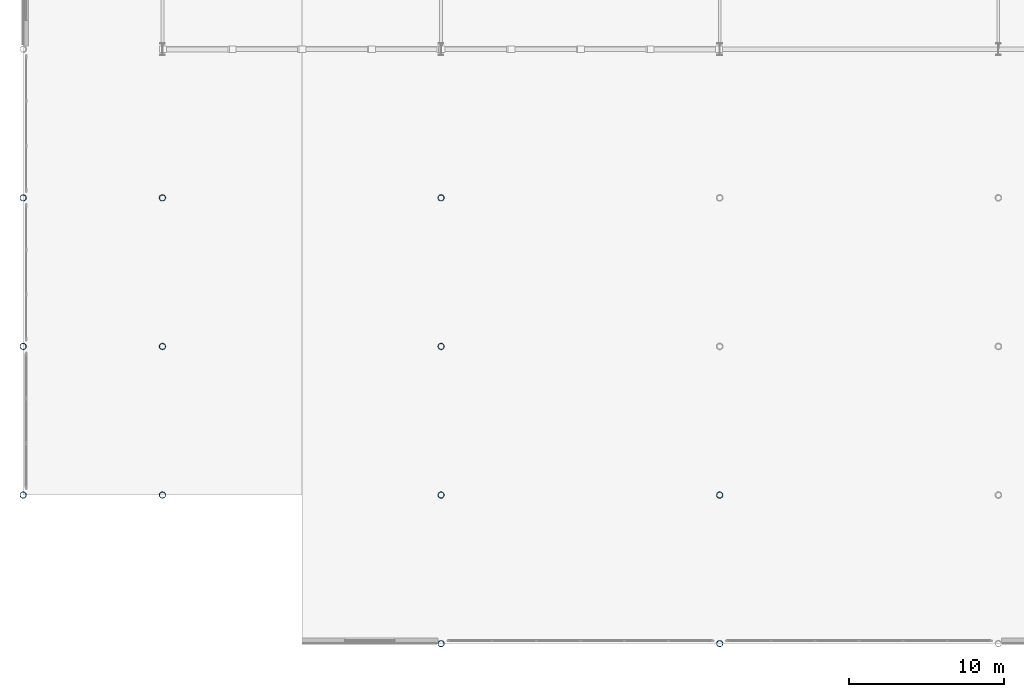
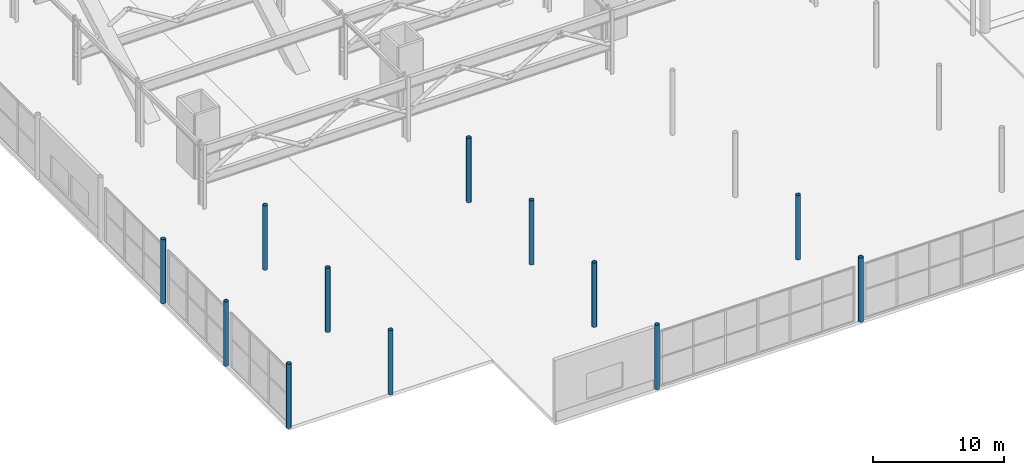
# One storey, part 2 of 113: 12 columns.
"""IFC4 building model written with IfcOpenShell, lengths in metres."""

from ifc_helpers import new_model, si_unit, direction, frame, origin, origin_2d, place, context, subcontext, project, spatial, hollow_circle, extrude, material, material_profile, profile_set, type_object, element, save


model = new_model("IFC4")

# Units and contexts
model_context = context("Model", 3, precision=1e-05, world=origin(), true_north=direction((0.0, 1.0)))
body_context = subcontext(model_context, "Body", "Model", "MODEL_VIEW")
ifc_project = project(units=[si_unit("LENGTHUNIT", "METRE"), si_unit("AREAUNIT", "SQUARE_METRE"), si_unit("VOLUMEUNIT", "CUBIC_METRE"), si_unit("PLANEANGLEUNIT", "RADIAN"), si_unit("MASSUNIT", "GRAM", prefix="KILO")], contexts=[model_context])

# Site, building, storey
site_placement = place(None, origin())
site = spatial("IfcSite", under=ifc_project, at=site_placement, CompositionType="ELEMENT")
building_placement = place(site_placement, origin())
building = spatial("IfcBuilding", under=site, at=building_placement, Name="Myrtia Square Station", CompositionType="ELEMENT")
storey_placement = place(building_placement, origin())
storey = spatial("IfcBuildingStorey", under=building, at=storey_placement, Name="L00", CompositionType="ELEMENT", Elevation=0.0)

# Columns
ifc_material = material(Name="Steel S355", Category="steel")
ifc_material_profile = material_profile(ifc_material, hollow_circle(Radius=0.203125, WallThickness=0.02001953125, at=origin_2d()), Name="CHS 406.4x20")
ifc_profile_set = profile_set([ifc_material_profile], Name="Steel S355")
column_type = type_object("IfcColumnType", Name="COL-CHS406", PredefinedType="COLUMN", material=ifc_profile_set)
for number, where, z_axis, x_axis, name in (
    (1, (0.0, 9.60009765625, 0.0), (0.0, 0.0, 1.0), (1.0, 0.0, 0.0), "Column L00-0002"),
    (2, (0.0, 19.199951171875, 0.0), (0.0, 0.0, 1.0), (1.0, 0.0, 0.0), "Column L00-0005"),
    (3, (0.0, 28.800048828125, 0.0), (0.0, 0.0, 1.0), (1.0, 0.0, 0.0), "Column L00-0008"),
    (4, (9.0, 9.60009765625, 0.0), (0.0, 0.0, 1.0), (1.0, 0.0, 0.0), "Column L00-0038"),
    (5, (9.0, 19.199951171875, 0.0), (0.0, 0.0, 1.0), (1.0, 0.0, 0.0), "Column L00-0041"),
    (6, (9.0, 28.800048828125, 0.0), (0.0, 0.0, 1.0), (1.0, 0.0, 0.0), "Column L00-0044"),
    (7, (27.0, 0.0, 0.0), (0.0, 0.0, 1.0), (1.0, 0.0, 0.0), "Column L00-0074"),
    (8, (27.0, 9.60009765625, 0.0), (0.0, 0.0, 1.0), (1.0, 0.0, 0.0), "Column L00-0077"),
    (9, (27.0, 19.199951171875, 0.0), (0.0, 0.0, 1.0), (1.0, 0.0, 0.0), "Column L00-0080"),
    (10, (27.0, 28.800048828125, 0.0), (0.0, 0.0, 1.0), (1.0, 0.0, 0.0), "Column L00-0083"),
    (11, (45.0, 0.0, 0.0), (0.0, 0.0, 1.0), (1.0, 0.0, 0.0), "Column L00-0116"),
    (12, (45.0, 9.60009765625, 0.0), (0.0, 0.0, 1.0), (1.0, 0.0, 0.0), "Column L00-0119"),
):
    element("IfcColumn", number, at=place(storey_placement, frame(where, z_axis=z_axis, x_axis=x_axis)), inside=storey, type_object=column_type, Name=name, PredefinedType="COLUMN", context=body_context, shape_type="SweptSolid", body=[
        extrude(hollow_circle(Radius=0.203125, WallThickness=0.02001953125, at=origin_2d()), origin(), (0.0, 0.0, 1.0), 6.0),
    ])

save(model, "model.ifc")
